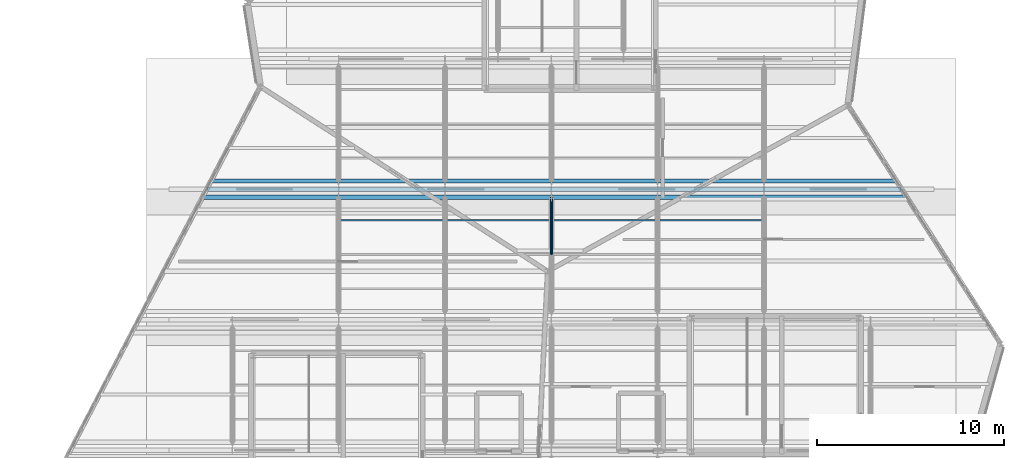
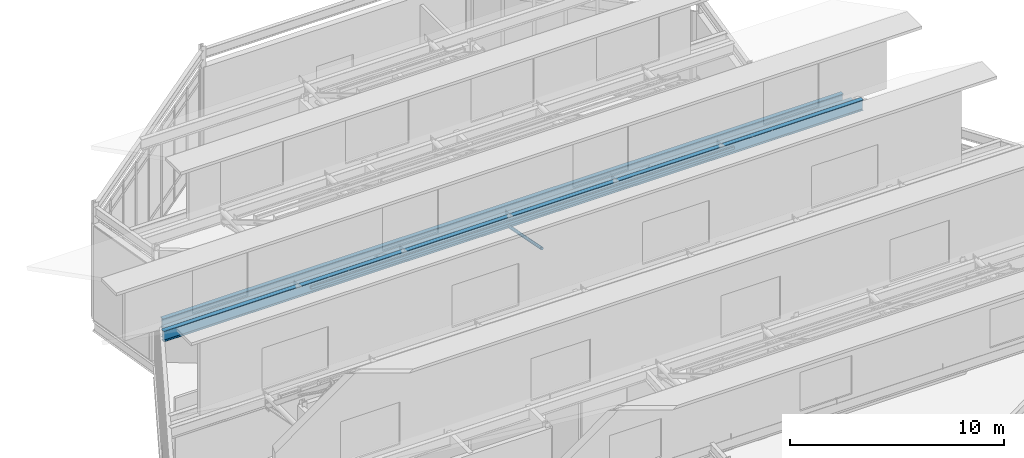
# One storey, part 28 of 55: 4 beams, 1 member.
"""IFC4 building model written with IfcOpenShell, lengths in metres."""

from ifc_helpers import new_model, si_unit, direction, frame, origin, origin_2d, place, context, subcontext, project, spatial, hollow_rectangle, hollow_circle, i_section, extrude, material, material_profile, profile_set, type_object, element, save


model = new_model("IFC4")

# Units and contexts
model_context = context("Model", 3, precision=1e-05, world=origin(), true_north=direction((0.0, 1.0)))
body_context = subcontext(model_context, "Body", "Model", "MODEL_VIEW")
ifc_project = project(units=[si_unit("LENGTHUNIT", "METRE"), si_unit("AREAUNIT", "SQUARE_METRE"), si_unit("VOLUMEUNIT", "CUBIC_METRE"), si_unit("PLANEANGLEUNIT", "RADIAN"), si_unit("MASSUNIT", "GRAM", prefix="KILO")], contexts=[model_context])

# Site, building, storey
site_placement = place(None, origin())
site = spatial("IfcSite", under=ifc_project, at=site_placement, CompositionType="ELEMENT")
building_placement = place(site_placement, origin())
building = spatial("IfcBuilding", under=site, at=building_placement, Name="Tameran Prism Museum", CompositionType="ELEMENT")
storey_placement = place(building_placement, frame((0.0, 0.0, 28.800048828125)))
storey = spatial("IfcBuildingStorey", under=building, at=storey_placement, Name="L05", CompositionType="ELEMENT", Elevation=28.800048828125)

# Beams
ifc_material_1 = material(Name="Steel Grade C350L0 (350 MPa)", Category="steel")
ifc_material_profile_1 = material_profile(ifc_material_1, hollow_rectangle(XDim=0.10009765625, YDim=0.14990234375, WallThickness=0.006103515625, InnerFilletRadius=0.009033203125, OuterFilletRadius=0.014892578125, at=origin_2d()))
ifc_profile_set_1 = profile_set([ifc_material_profile_1])
beam_type_1 = type_object("IfcBeamType", Name="BM-PUR150", PredefinedType="USERDEFINED", material=ifc_profile_set_1)
beam_1_placement = place(storey_placement, frame((107.60009765625, 91.8359375, 7.0390625), z_axis=(1.0, 0.0, 0.0), x_axis=(0.0, 1.0, 0.0)))
element("IfcBeam", 1, at=beam_1_placement, inside=storey, type_object=beam_type_1, Name="Sawtooth Purlin PR-015", ObjectType="PURLIN", PredefinedType="USERDEFINED", context=body_context, shape_type="SweptSolid", body=[
    extrude(hollow_rectangle(XDim=0.10009765625, YDim=0.14990234375, WallThickness=0.006103515625, InnerFilletRadius=0.009033203125, OuterFilletRadius=0.014892578125, at=origin_2d()), origin(), (0.0, 0.0, 1.0), 22.7998046875),
])
ifc_material_2 = material(Name="Steel Grade 300PLUS (300 MPa)", Category="steel")
ifc_material_profile_2 = material_profile(ifc_material_2, i_section(OverallWidth=0.22900390625, OverallDepth=0.612060546875, WebThickness=0.011962890625, FlangeThickness=0.01953125, FilletRadius=0.013916015625, at=origin_2d()))
ifc_profile_set_2 = profile_set([ifc_material_profile_2])
beam_type_2 = type_object("IfcBeamType", Name="BM-UB610A", PredefinedType="BEAM", material=ifc_profile_set_2)
beam_2_placement = place(storey_placement, frame((100.342041015625, 93.06005859375, 6.10595703125), z_axis=(1.0, 0.0, 0.0), x_axis=(0.0, 1.0, 0.0)))
element("IfcBeam", 2, at=beam_2_placement, inside=storey, type_object=beam_type_2, Name="Sawtooth Support Girder SRG-017", PredefinedType="BEAM", context=body_context, shape_type="SweptSolid", body=[
    extrude(i_section(OverallWidth=0.22900390625, OverallDepth=0.612060546875, WebThickness=0.011962890625, FlangeThickness=0.01953125, FilletRadius=0.013916015625, at=origin_2d()), origin(), (0.0, 0.0, 1.0), 37.675048828125),
])
beam_3_placement = place(storey_placement, frame((100.802001953125, 93.93994140625, 6.10595703125), z_axis=(1.0, 0.0, 0.0), x_axis=(0.0, 1.0, 0.0)))
element("IfcBeam", 3, at=beam_3_placement, inside=storey, type_object=beam_type_2, Name="Sawtooth Support Girder SRG-022", PredefinedType="BEAM", context=body_context, shape_type="SweptSolid", body=[
    extrude(i_section(OverallWidth=0.22900390625, OverallDepth=0.612060546875, WebThickness=0.011962890625, FlangeThickness=0.01953125, FilletRadius=0.013916015625, at=origin_2d()), origin(), (0.0, 0.0, 1.0), 36.65087890625),
])
beam_4_placement = place(storey_placement, frame((100.572021484375, 93.5, 5.94384765625), z_axis=(1.0, 0.0, 0.0), x_axis=(0.0, 1.0, 0.0)))
element("IfcBeam", 4, at=beam_4_placement, inside=storey, type_object=beam_type_2, Name="Sawtooth Support Girder SRG-024", PredefinedType="BEAM", context=body_context, shape_type="SweptSolid", body=[
    extrude(i_section(OverallWidth=0.22900390625, OverallDepth=0.612060546875, WebThickness=0.011962890625, FlangeThickness=0.01953125, FilletRadius=0.013916015625, at=origin_2d()), origin(), (0.0, 0.0, 1.0), 37.1630859375),
])

# Member
ifc_material_3 = material(Name="Steel Grade C350L0 (350 MPa)", Category="steel")
ifc_material_profile_3 = material_profile(ifc_material_3, hollow_circle(Radius=0.084228515625, WallThickness=0.007080078125, at=origin_2d()))
ifc_profile_set_3 = profile_set([ifc_material_profile_3])
member_type = type_object("IfcMemberType", Name="MM-BR-CHS168", PredefinedType="BRACE", material=ifc_profile_set_3)
member_placement = place(storey_placement, frame((119.0, 90.0, 6.385986328125), z_axis=(0.0, 0.981426640065, -0.191837822575), x_axis=(-1.0, 0.0, 0.0)))
element("IfcMember", 5, at=member_placement, inside=storey, type_object=member_type, Name="Sawtooth Brace STM-0097", PredefinedType="BRACE", context=body_context, shape_type="SweptSolid", body=[
    extrude(hollow_circle(Radius=0.084228515625, WallThickness=0.007080078125, at=origin_2d()), origin(), (0.0, 0.0, 1.0), 3.117919921875),
])

save(model, "model.ifc")
